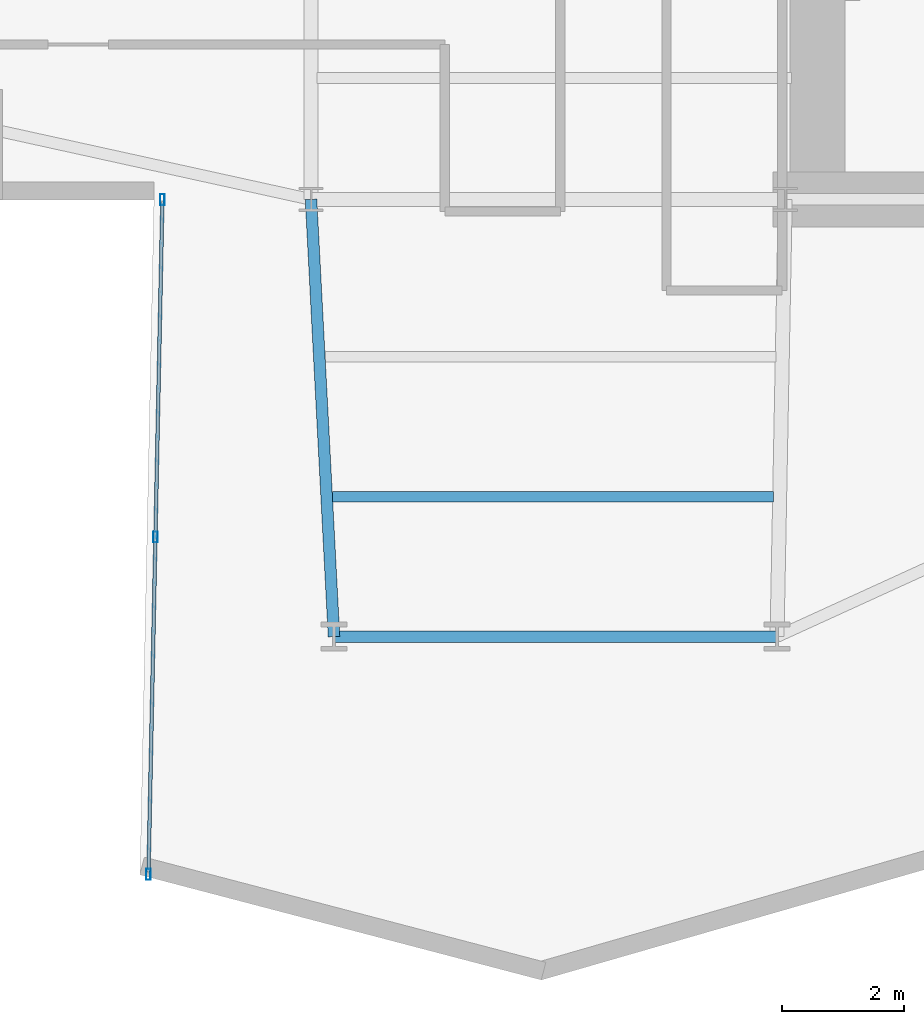
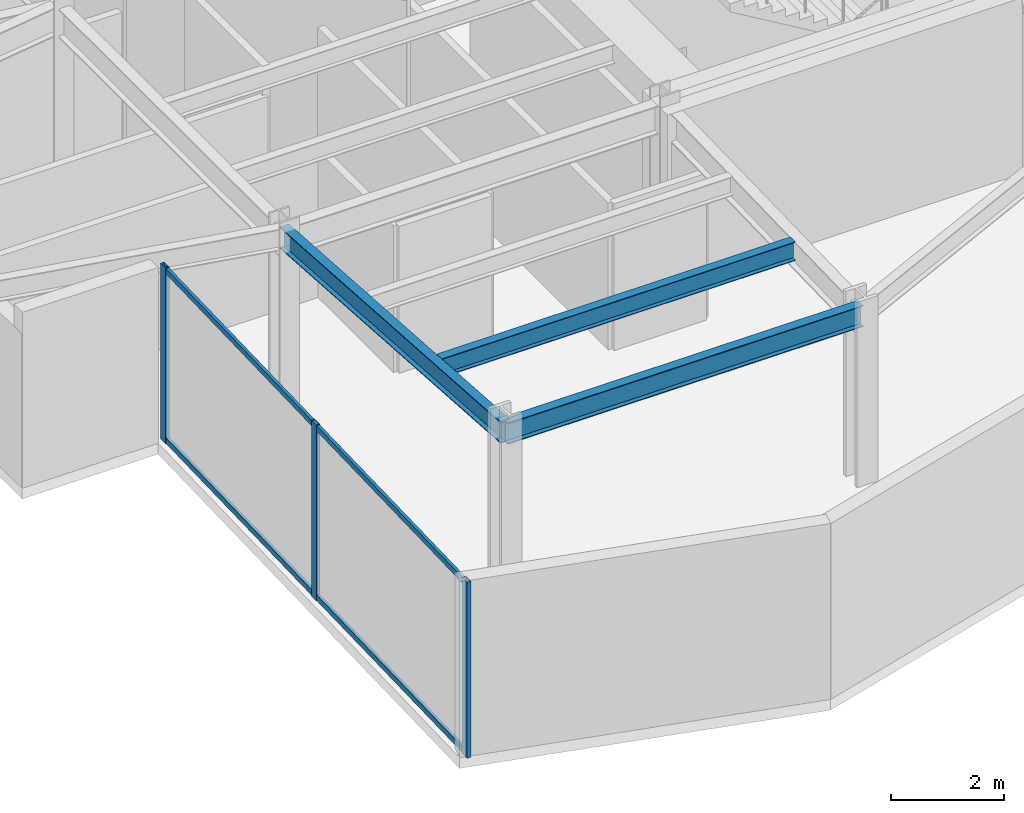
# One storey, part 4 of 23: 5 members, 3 beams, 1 element without a shape of its own.
"""IFC4 building model written with IfcOpenShell, lengths in metres."""

from ifc_helpers import new_model, si_unit, direction, frame, origin, origin_2d, place, context, subcontext, project, spatial, hollow_rectangle, i_section, extrude, material, layer, layer_set, material_profile, profile_set, type_object, element, aggregate, save


model = new_model("IFC4")

# Units and contexts
model_context = context("Model", 3, precision=1e-05, world=origin(), true_north=direction((0.0, 1.0)))
body_context = subcontext(model_context, "Body", "Model", "MODEL_VIEW")
ifc_project = project(units=[si_unit("LENGTHUNIT", "METRE"), si_unit("AREAUNIT", "SQUARE_METRE"), si_unit("VOLUMEUNIT", "CUBIC_METRE"), si_unit("PLANEANGLEUNIT", "RADIAN"), si_unit("MASSUNIT", "GRAM", prefix="KILO")], contexts=[model_context])

# Site, building, storey
site_placement = place(None, origin())
site = spatial("IfcSite", under=ifc_project, at=site_placement, CompositionType="ELEMENT")
building_placement = place(site_placement, origin())
building = spatial("IfcBuilding", under=site, at=building_placement, Name="Veymaron Broadcast Tower", CompositionType="ELEMENT")
storey_placement = place(building_placement, frame((0.0, 0.0, 94.5)))
storey = spatial("IfcBuildingStorey", under=building, at=storey_placement, Name="L21", CompositionType="ELEMENT", Elevation=94.5)

# Beams
ifc_material_1 = material(Name="Structural steel ASTM A992 Gr 50", Category="steel")
ifc_material_profile_1 = material_profile(ifc_material_1, i_section(OverallWidth=0.177978515625, OverallDepth=0.406982421875, WebThickness=0.0078125, FlangeThickness=0.0126953125, at=origin_2d()), Name="W410X60")
ifc_profile_set_1 = profile_set([ifc_material_profile_1], Name="Structural steel ASTM A992 Gr 50")
beam_type_1 = type_object("IfcBeamType", Name="BM-JS1", PredefinedType="JOIST", material=ifc_profile_set_1)
beam_1_placement = place(storey_placement, frame((31.556884765625, 11.11083984375, 3.6064453125), z_axis=(1.0, 0.0, 0.0), x_axis=(0.0, 1.0, 0.0)))
element("IfcBeam", 1, at=beam_1_placement, inside=storey, type_object=beam_type_1, Name="L21 Arm-C secondary joist 2", PredefinedType="JOIST", context=body_context, shape_type="SweptSolid", body=[
    extrude(i_section(OverallWidth=0.177978515625, OverallDepth=0.406982421875, WebThickness=0.0078125, FlangeThickness=0.0126953125, at=origin_2d()), origin(), (0.0, 0.0, 1.0), 7.251220703125),
])
ifc_material_profile_2 = material_profile(ifc_material_1, i_section(OverallWidth=0.19091796875, OverallDepth=0.4599609375, WebThickness=0.010009765625, FlangeThickness=0.01611328125, at=origin_2d()), Name="W460X82")
ifc_profile_set_2 = profile_set([ifc_material_profile_2], Name="Structural steel ASTM A992 Gr 50")
beam_type_2 = type_object("IfcBeamType", Name="BM-SP1", PredefinedType="SPANDREL", material=ifc_profile_set_2)
beam_2_placement = place(storey_placement, frame((31.199951171875, 16.0, 3.580078125), z_axis=(0.052491202254, -0.998621386555, 0.0), x_axis=(0.998621386555, 0.052491202254, 0.0)))
element("IfcBeam", 2, at=beam_2_placement, inside=storey, type_object=beam_type_2, Name="L21 primary structural floor girder", PredefinedType="SPANDREL", context=body_context, shape_type="SweptSolid", body=[
    extrude(i_section(OverallWidth=0.19091796875, OverallDepth=0.4599609375, WebThickness=0.010009765625, FlangeThickness=0.01611328125, at=origin_2d()), origin(), (0.0, 0.0, 1.0), 7.199951171875),
])
beam_3_placement = place(storey_placement, frame((31.577880859375, 8.81005859375, 3.580078125), z_axis=(1.0, 0.0, 0.0), x_axis=(0.0, 1.0, 0.0)))
element("IfcBeam", 3, at=beam_3_placement, inside=storey, type_object=beam_type_2, Name="L21 primary structural floor girder", PredefinedType="SPANDREL", context=body_context, shape_type="SweptSolid", body=[
    extrude(i_section(OverallWidth=0.19091796875, OverallDepth=0.4599609375, WebThickness=0.010009765625, FlangeThickness=0.01611328125, at=origin_2d()), origin(), (0.0, 0.0, 1.0), 7.287109375),
])

# Curtain wall, members
ifc_material_2 = material(Name="Anodised aluminium AA 6063-T6 and laminated low-E dark glass", Category="aluminium")
ifc_layer = layer(ifc_material_2, 0.179931640625)
ifc_layer_set = layer_set([ifc_layer], Name="Anodised aluminium AA 6063-T6 and laminated low-E dark glass")
curtain_wall_type = type_object("IfcCurtainWallType", Name="CW-SYS-02", PredefinedType="NOTDEFINED", material=ifc_layer_set)
curtain_wall_placement = place(storey_placement, origin())
curtain_wall = element("IfcCurtainWall", 4, at=curtain_wall_placement, inside=storey, type_object=curtain_wall_type, Name="L21 dark-glass curtain wall CW-L21-E17-1", PredefinedType="NOTDEFINED")
ifc_material_3 = material(Name="Anodised aluminium AA 6063-T6", Category="aluminium")
ifc_material_profile_3 = material_profile(ifc_material_3, hollow_rectangle(XDim=0.074951171875, YDim=0.179931640625, WallThickness=0.0048828125, at=origin_2d()), Name="AL180X75X5")
ifc_profile_set_3 = profile_set([ifc_material_profile_3], Name="Anodised aluminium AA 6063-T6")
member_type_1 = type_object("IfcMemberType", Name="CW-MUL-02", PredefinedType="MULLION", material=ifc_profile_set_3)
member_1_placement = place(storey_placement, frame((28.755615234375, 15.9970703125, 0.0), z_axis=(0.0, 0.0, 1.0), x_axis=(1.0, 0.0, 0.0)))
member_1 = element("IfcMember", 5, at=member_1_placement, type_object=member_type_1, Name="CW-L21-E17-1 mullion 0", PredefinedType="MULLION", context=body_context, shape_type="SweptSolid", body=[
    extrude(hollow_rectangle(XDim=0.074951171875, YDim=0.179931640625, WallThickness=0.0048828125, at=origin_2d()), origin(), (0.0, 0.0, 1.0), 3.81005859375),
])
member_2_placement = place(storey_placement, frame((28.640869140625, 10.447509765625, 0.0), z_axis=(0.0, 0.0, 1.0), x_axis=(1.0, 0.0, 0.0)))
member_2 = element("IfcMember", 6, at=member_2_placement, type_object=member_type_1, Name="CW-L21-E17-1 mullion 1", PredefinedType="MULLION", context=body_context, shape_type="SweptSolid", body=[
    extrude(hollow_rectangle(XDim=0.074951171875, YDim=0.179931640625, WallThickness=0.0048828125, at=origin_2d()), origin(), (0.0, 0.0, 1.0), 3.81005859375),
])
member_3_placement = place(storey_placement, frame((28.52587890625, 4.898193359375, 0.0), z_axis=(0.0, 0.0, 1.0), x_axis=(1.0, 0.0, 0.0)))
member_3 = element("IfcMember", 7, at=member_3_placement, type_object=member_type_1, Name="CW-L21-E17-1 mullion 2", PredefinedType="MULLION", context=body_context, shape_type="SweptSolid", body=[
    extrude(hollow_rectangle(XDim=0.074951171875, YDim=0.179931640625, WallThickness=0.0048828125, at=origin_2d()), origin(), (0.0, 0.0, 1.0), 3.81005859375),
])
ifc_material_profile_4 = material_profile(ifc_material_3, hollow_rectangle(XDim=0.06005859375, YDim=0.1201171875, WallThickness=0.00390625, at=origin_2d()), Name="AL120X60X4")
ifc_profile_set_4 = profile_set([ifc_material_profile_4], Name="Anodised aluminium AA 6063-T6")
member_type_2 = type_object("IfcMemberType", Name="CW-TRN-02", PredefinedType="USERDEFINED", material=ifc_profile_set_4)
member_4_placement = place(storey_placement, frame((28.75439453125, 15.947021484375, 0.070068359375), z_axis=(-0.020660598316, -0.999786547058, 0.0), x_axis=(0.999786547058, -0.020660598316, 0.0)))
member_4 = element("IfcMember", 8, at=member_4_placement, type_object=member_type_2, Name="CW-L21-E17-1 transom B", ObjectType="TRANSOM", PredefinedType="USERDEFINED", context=body_context, shape_type="SweptSolid", body=[
    extrude(hollow_rectangle(XDim=0.06005859375, YDim=0.1201171875, WallThickness=0.00390625, at=origin_2d()), origin(), (0.0, 0.0, 1.0), 11.00146484375),
])
member_5_placement = place(storey_placement, frame((28.75439453125, 15.947021484375, 3.739990234375), z_axis=(-0.020660598316, -0.999786547058, 0.0), x_axis=(0.999786547058, -0.020660598316, 0.0)))
member_5 = element("IfcMember", 9, at=member_5_placement, type_object=member_type_2, Name="CW-L21-E17-1 transom T", ObjectType="TRANSOM", PredefinedType="USERDEFINED", context=body_context, shape_type="SweptSolid", body=[
    extrude(hollow_rectangle(XDim=0.06005859375, YDim=0.1201171875, WallThickness=0.00390625, at=origin_2d()), origin(), (0.0, 0.0, 1.0), 11.00146484375),
])
aggregate(curtain_wall, [member_1, member_2, member_3, member_4, member_5])

save(model, "model.ifc")
